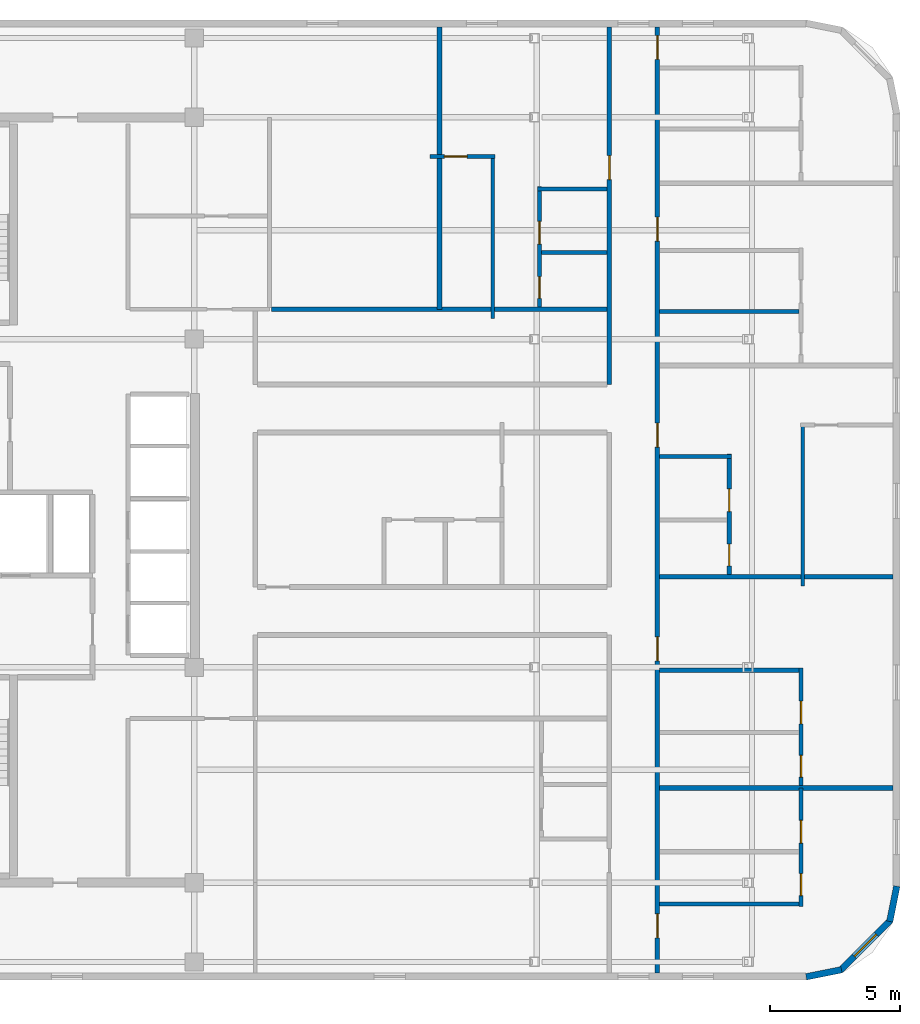
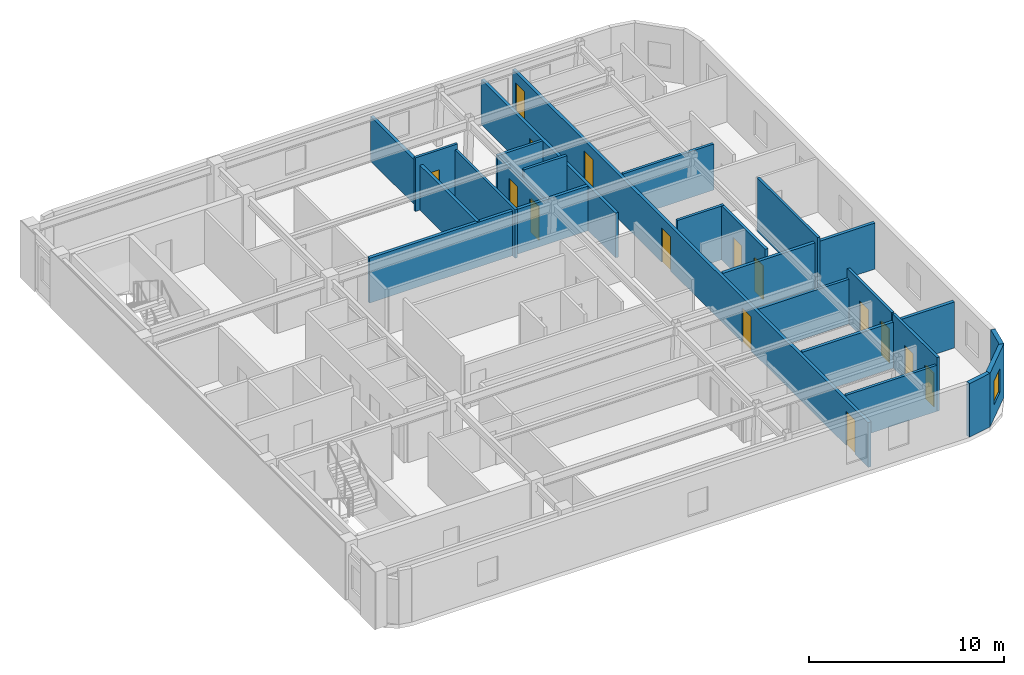
# One storey, part 4 of 7: 22 walls, 15 doors, 1 window, 16 openings.
"""IFC4 building model written with IfcOpenShell, lengths in metres."""

from ifc_helpers import new_model, si_unit, direction, frame, frame_2d, origin, place, context, subcontext, project, spatial, rectangle, extrude, material, layer, layer_set, type_object, element, fill, save


model = new_model("IFC4")

# Units and contexts
model_context = context("Model", 3, precision=1e-05, world=origin(), true_north=direction((0.0, 1.0)))
body_context = subcontext(model_context, "Body", "Model", "MODEL_VIEW")
ifc_project = project(units=[si_unit("LENGTHUNIT", "METRE"), si_unit("AREAUNIT", "SQUARE_METRE"), si_unit("VOLUMEUNIT", "CUBIC_METRE"), si_unit("PLANEANGLEUNIT", "RADIAN"), si_unit("MASSUNIT", "GRAM", prefix="KILO")], contexts=[model_context])

# Site, building, storey
site_placement = place(None, origin())
site = spatial("IfcSite", under=ifc_project, at=site_placement, CompositionType="ELEMENT")
building_placement = place(site_placement, origin())
building = spatial("IfcBuilding", under=site, at=building_placement, Name="Ochreholt Gables", CompositionType="ELEMENT")
storey_placement = place(building_placement, frame((0.0, 0.0, 238.800048828125)))
storey = spatial("IfcBuildingStorey", under=building, at=storey_placement, Name="L62", CompositionType="ELEMENT", Elevation=238.800048828125)

# Wall
ifc_material_1 = material(Name="Precast concrete 40 MPa", Category="concrete")
ifc_layer_1 = layer(ifc_material_1, 0.25, Name="Precast concrete 40 MPa")
ifc_layer_set_1 = layer_set([ifc_layer_1], Name="Precast concrete 40 MPa")
wall_type_1 = type_object("IfcWallType", Name="WALL-EXT-CNR", PredefinedType="SOLIDWALL", material=ifc_layer_set_1)
wall_1_placement = place(storey_placement, frame((58.783447265625, 5.624267578125, 0.0), z_axis=(0.0, 0.0, 1.0), x_axis=(0.980809899341, 0.19496651342, 0.0)))
element("IfcWall", 1, at=wall_1_placement, inside=storey, type_object=wall_type_1, Name="L62 Rounded Corner Wall SE-1", PredefinedType="SOLIDWALL", context=body_context, shape_type="SweptSolid", body=[
    extrude(rectangle(XDim=1.388671875, YDim=0.25, at=frame_2d((0.6943359375, 0.0))), origin(), (0.0, 0.0, 1.0), 3.35986328125),
])

# Wall, opening, window
wall_2_placement = place(storey_placement, frame((60.094970703125, 5.867919921875, 0.0), z_axis=(0.0, 0.0, 1.0), x_axis=(0.707106781187, 0.707106781187, 0.0)))
wall_2 = element("IfcWall", 2, at=wall_2_placement, inside=storey, type_object=wall_type_1, Name="L62 Rounded Corner Wall SE-2", PredefinedType="SOLIDWALL", context=body_context, shape_type="SweptSolid", body=[
    extrude(rectangle(XDim=2.7392578125, YDim=0.25, at=frame_2d((1.36962890625, 0.0))), origin(), (0.0, 0.0, 1.0), 3.35986328125),
])
opening_1_placement = place(wall_2_placement, frame((0.769775390625, 0.0, 0.85009765625)))
opening_1 = element("IfcOpeningElement", 3, at=opening_1_placement, cuts=wall_2, Name="Opening WN-3", PredefinedType="OPENING", context=body_context, shape_type="SweptSolid", body=[
    extrude(rectangle(XDim=1.199951171875, YDim=1.5, at=frame_2d((0.60009765625, 0.75))), frame((0.0, 0.135009765625, 0.0), z_axis=(0.0, -1.0, 0.0), x_axis=(1.0, 0.0, 0.0)), (0.0, 0.0, 1.0), 0.27001953125),
])
ifc_material_2 = material(Name="Triple-Glazed Thermally Broken Aluminium Window", Category="aluminium")
window_type = type_object("IfcWindowType", Name="WIN-RES-1200", PartitioningType="SINGLE_PANEL", PredefinedType="WINDOW", material=ifc_material_2)
window_placement = place(opening_1_placement, origin())
window = element("IfcWindow", 4, at=window_placement, inside=storey, type_object=window_type, Name="L62 Corner Bedroom Window SE", OverallHeight=1.5, OverallWidth=1.199951171875, PartitioningType="SINGLE_PANEL", PredefinedType="WINDOW", context=body_context, shape_type="SweptSolid", body=[
    extrude(rectangle(XDim=1.199951171875, YDim=1.5, at=frame_2d((0.60009765625, 0.75))), frame((0.0, 0.030029296875, 0.0), z_axis=(0.0, -1.0, 0.0), x_axis=(1.0, 0.0, 0.0)), (0.0, 0.0, 1.0), 0.06005859375),
])
fill(opening_1, window)

# Wall
wall_3_placement = place(storey_placement, frame((62.0048828125, 7.75439453125, 0.0), z_axis=(0.0, 0.0, 1.0), x_axis=(0.195135625965, 0.9807762678, 0.0)))
element("IfcWall", 5, at=wall_3_placement, inside=storey, type_object=wall_type_1, Name="L62 Rounded Corner Wall SE-3", PredefinedType="SOLIDWALL", context=body_context, shape_type="SweptSolid", body=[
    extrude(rectangle(XDim=1.388671875, YDim=0.25, at=frame_2d((0.6943359375, 0.0))), origin(), (0.0, 0.0, 1.0), 3.35986328125),
])

# Wall, opening, door
ifc_material_3 = material(Name="Fire-Rated Gypsum Acoustic Partition", Category="gypsum")
ifc_layer_2 = layer(ifc_material_3, 0.179931640625, Name="Fire-Rated Gypsum Acoustic Partition")
ifc_layer_set_2 = layer_set([ifc_layer_2], Name="Fire-Rated Gypsum Acoustic Partition")
wall_type_2 = type_object("IfcWallType", Name="WALL-INT-CR180", PredefinedType="STANDARD", material=ifc_layer_set_2)
wall_4_placement = place(storey_placement, frame((51.199951171875, 28.449951171875, 0.0), z_axis=(0.0, 0.0, 1.0), x_axis=(0.0, 1.0, 0.0)))
wall_4 = element("IfcWall", 6, at=wall_4_placement, inside=storey, type_object=wall_type_2, Name="L62 Interior Wall WI-C3GW4-L62", PredefinedType="STANDARD", context=body_context, shape_type="SweptSolid", body=[
    extrude(rectangle(XDim=13.780029296875, YDim=0.179931640625, at=frame_2d((6.89013671875, 0.0))), origin(), (0.0, 0.0, 1.0), 2.802978515625),
])
opening_2_placement = place(wall_4_placement, frame((7.89990234375, 0.0, 0.0)))
opening_2 = element("IfcOpeningElement", 7, at=opening_2_placement, cuts=wall_4, Name="Opening D-UN1", PredefinedType="OPENING", context=body_context, shape_type="SweptSolid", body=[
    extrude(rectangle(XDim=0.919921875, YDim=2.14990234375, at=frame_2d((0.4599609375, 1.074951171875))), frame((0.0, 0.099853515625, 0.0), z_axis=(0.0, -1.0, 0.0), x_axis=(1.0, 0.0, 0.0)), (0.0, 0.0, 1.0), 0.199951171875),
])
ifc_material_4 = material(Name="Engineered Oak Timber", Category="wood")
door_type_1 = type_object("IfcDoorType", Name="DR-INT-UNT920", OperationType="NOTDEFINED", PredefinedType="DOOR", material=ifc_material_4)
door_1_placement = place(opening_2_placement, origin())
door_1 = element("IfcDoor", 8, at=door_1_placement, inside=storey, type_object=door_type_1, Name="L62 Door D-U-L62NM2-ENT", OperationType="SINGLE_SWING_RIGHT", OverallHeight=2.14990234375, OverallWidth=0.919921875, PredefinedType="DOOR", context=body_context, shape_type="SweptSolid", body=[
    extrude(rectangle(XDim=0.919921875, YDim=2.14990234375, at=frame_2d((0.4599609375, 1.074951171875))), frame((0.0, 0.02490234375, 0.0), z_axis=(0.0, -1.0, 0.0), x_axis=(1.0, 0.0, 0.0)), (0.0, 0.0, 1.0), 0.050048828125),
])
fill(opening_2, door_1)

# Wall, openings, doors
wall_5_placement = place(storey_placement, frame((53.050048828125, 5.77001953125, 0.0), z_axis=(0.0, 0.0, 1.0), x_axis=(0.0, 1.0, 0.0)))
wall_5 = element("IfcWall", 9, at=wall_5_placement, inside=storey, type_object=wall_type_2, Name="L62 Interior Wall WI-C3GE-L62", PredefinedType="STANDARD", context=body_context, shape_type="SweptSolid", body=[
    extrude(rectangle(XDim=36.4599609375, YDim=0.179931640625, at=frame_2d((18.22998046875, 0.0))), origin(), (0.0, 0.0, 1.0), 2.802978515625),
])
opening_3_placement = place(wall_5_placement, frame((1.356689453125, 0.0, 0.0)))
opening_3 = element("IfcOpeningElement", 10, at=opening_3_placement, cuts=wall_5, Name="Opening D-UN1", PredefinedType="OPENING", context=body_context, shape_type="SweptSolid", body=[
    extrude(rectangle(XDim=0.919921875, YDim=2.14990234375, at=frame_2d((0.4599609375, 1.074951171875))), frame((0.0, 0.099853515625, 0.0), z_axis=(0.0, -1.0, 0.0), x_axis=(1.0, 0.0, 0.0)), (0.0, 0.0, 1.0), 0.199951171875),
])
opening_4_placement = place(wall_5_placement, frame((12.030029296875, 0.0, 0.0)))
opening_4 = element("IfcOpeningElement", 11, at=opening_4_placement, cuts=wall_5, Name="Opening D-UN1", PredefinedType="OPENING", context=body_context, shape_type="SweptSolid", body=[
    extrude(rectangle(XDim=0.919921875, YDim=2.14990234375, at=frame_2d((0.4599609375, 1.074951171875))), frame((0.0, 0.099853515625, 0.0), z_axis=(0.0, -1.0, 0.0), x_axis=(1.0, 0.0, 0.0)), (0.0, 0.0, 1.0), 0.199951171875),
])
opening_5_placement = place(wall_5_placement, frame((20.27001953125, 0.0, 0.0)))
opening_5 = element("IfcOpeningElement", 12, at=opening_5_placement, cuts=wall_5, Name="Opening D-UN1", PredefinedType="OPENING", context=body_context, shape_type="SweptSolid", body=[
    extrude(rectangle(XDim=0.919921875, YDim=2.14990234375, at=frame_2d((0.4599609375, 1.074951171875))), frame((0.0, 0.099853515625, 0.0), z_axis=(0.0, -1.0, 0.0), x_axis=(1.0, 0.0, 0.0)), (0.0, 0.0, 1.0), 0.199951171875),
])
opening_6_placement = place(wall_5_placement, frame((28.2099609375, 0.0, 0.0)))
opening_6 = element("IfcOpeningElement", 13, at=opening_6_placement, cuts=wall_5, Name="Opening D-UN1", PredefinedType="OPENING", context=body_context, shape_type="SweptSolid", body=[
    extrude(rectangle(XDim=0.919921875, YDim=2.14990234375, at=frame_2d((0.4599609375, 1.074951171875))), frame((0.0, 0.099853515625, 0.0), z_axis=(0.0, -1.0, 0.0), x_axis=(1.0, 0.0, 0.0)), (0.0, 0.0, 1.0), 0.199951171875),
])
opening_7_placement = place(wall_5_placement, frame((35.2099609375, 0.0, 0.0)))
opening_7 = element("IfcOpeningElement", 14, at=opening_7_placement, cuts=wall_5, Name="Opening D-UN1", PredefinedType="OPENING", context=body_context, shape_type="SweptSolid", body=[
    extrude(rectangle(XDim=0.919921875, YDim=2.14990234375, at=frame_2d((0.4599609375, 1.074951171875))), frame((0.0, 0.099853515625, 0.0), z_axis=(0.0, -1.0, 0.0), x_axis=(1.0, 0.0, 0.0)), (0.0, 0.0, 1.0), 0.199951171875),
])
door_2_placement = place(opening_3_placement, origin())
door_2 = element("IfcDoor", 15, at=door_2_placement, inside=storey, type_object=door_type_1, Name="L62 Door D-U-L62E1-ENT", OperationType="SINGLE_SWING_RIGHT", OverallHeight=2.14990234375, OverallWidth=0.919921875, PredefinedType="DOOR", context=body_context, shape_type="SweptSolid", body=[
    extrude(rectangle(XDim=0.919921875, YDim=2.14990234375, at=frame_2d((0.4599609375, 1.074951171875))), frame((0.0, 0.02490234375, 0.0), z_axis=(0.0, -1.0, 0.0), x_axis=(1.0, 0.0, 0.0)), (0.0, 0.0, 1.0), 0.050048828125),
])
fill(opening_3, door_2)
door_3_placement = place(opening_4_placement, origin())
door_3 = element("IfcDoor", 16, at=door_3_placement, inside=storey, type_object=door_type_1, Name="L62 Door D-U-L62E2-ENT", OperationType="SINGLE_SWING_LEFT", OverallHeight=2.14990234375, OverallWidth=0.919921875, PredefinedType="DOOR", context=body_context, shape_type="SweptSolid", body=[
    extrude(rectangle(XDim=0.919921875, YDim=2.14990234375, at=frame_2d((0.4599609375, 1.074951171875))), frame((0.0, 0.02490234375, 0.0), z_axis=(0.0, -1.0, 0.0), x_axis=(1.0, 0.0, 0.0)), (0.0, 0.0, 1.0), 0.050048828125),
])
fill(opening_4, door_3)
door_4_placement = place(opening_5_placement, origin())
door_4 = element("IfcDoor", 17, at=door_4_placement, inside=storey, type_object=door_type_1, Name="L62 Door D-U-L62E3-ENT", OperationType="SINGLE_SWING_RIGHT", OverallHeight=2.14990234375, OverallWidth=0.919921875, PredefinedType="DOOR", context=body_context, shape_type="SweptSolid", body=[
    extrude(rectangle(XDim=0.919921875, YDim=2.14990234375, at=frame_2d((0.4599609375, 1.074951171875))), frame((0.0, 0.02490234375, 0.0), z_axis=(0.0, -1.0, 0.0), x_axis=(1.0, 0.0, 0.0)), (0.0, 0.0, 1.0), 0.050048828125),
])
fill(opening_5, door_4)
door_5_placement = place(opening_6_placement, origin())
door_5 = element("IfcDoor", 18, at=door_5_placement, inside=storey, type_object=door_type_1, Name="L62 Door D-U-L62E4-ENT", OperationType="SINGLE_SWING_LEFT", OverallHeight=2.14990234375, OverallWidth=0.919921875, PredefinedType="DOOR", context=body_context, shape_type="SweptSolid", body=[
    extrude(rectangle(XDim=0.919921875, YDim=2.14990234375, at=frame_2d((0.4599609375, 1.074951171875))), frame((0.0, 0.02490234375, 0.0), z_axis=(0.0, -1.0, 0.0), x_axis=(1.0, 0.0, 0.0)), (0.0, 0.0, 1.0), 0.050048828125),
])
fill(opening_6, door_5)
door_6_placement = place(opening_7_placement, origin())
door_6 = element("IfcDoor", 19, at=door_6_placement, inside=storey, type_object=door_type_1, Name="L62 Door D-U-L62E5-ENT", OperationType="SINGLE_SWING_RIGHT", OverallHeight=2.14990234375, OverallWidth=0.919921875, PredefinedType="DOOR", context=body_context, shape_type="SweptSolid", body=[
    extrude(rectangle(XDim=0.919921875, YDim=2.14990234375, at=frame_2d((0.4599609375, 1.074951171875))), frame((0.0, 0.02490234375, 0.0), z_axis=(0.0, -1.0, 0.0), x_axis=(1.0, 0.0, 0.0)), (0.0, 0.0, 1.0), 0.050048828125),
])
fill(opening_7, door_6)

# Walls
ifc_material_5 = material(Name="Double-Stud Acoustic Demising Wall", Category="gypsum")
ifc_layer_3 = layer(ifc_material_5, 0.18505859375, Name="Double-Stud Acoustic Demising Wall")
ifc_layer_set_3 = layer_set([ifc_layer_3], Name="Double-Stud Acoustic Demising Wall")
wall_type_3 = type_object("IfcWallType", Name="WALL-INT-DM185", PredefinedType="PARTITIONING", material=ifc_layer_set_3)
for number, where, z_axis, x_axis, name in (
    (20, (53.139892578125, 12.89990234375, 0.0), (0.0, 0.0, 1.0), (1.0, 0.0, 0.0), "L62 Interior Wall WI-C3UDE2-L62"),
    (21, (53.139892578125, 21.0400390625, 0.0), (0.0, 0.0, 1.0), (1.0, 0.0, 0.0), "L62 Interior Wall WI-C3UDE3-L62"),
):
    element("IfcWall", number, at=place(storey_placement, frame(where, z_axis=z_axis, x_axis=x_axis)), inside=storey, type_object=wall_type_3, Name=name, PredefinedType="PARTITIONING", context=body_context, shape_type="SweptSolid", body=[
        extrude(rectangle(XDim=8.989990234375, YDim=0.18505859375, at=frame_2d((4.4951171875, 0.0))), origin(), (0.0, 0.0, 1.0), 2.87890625),
    ])
wall_6_placement = place(storey_placement, frame((44.64990234375, 31.35009765625, 0.0), z_axis=(0.0, 0.0, 1.0), x_axis=(0.0, 1.0, 0.0)))
element("IfcWall", 22, at=wall_6_placement, inside=storey, type_object=wall_type_3, Name="L62 Interior Wall WI-C3NMX-L62", PredefinedType="PARTITIONING", context=body_context, shape_type="SweptSolid", body=[
    extrude(rectangle(XDim=10.8798828125, YDim=0.18505859375, at=frame_2d((5.43994140625, 0.0))), origin(), (0.0, 0.0, 1.0), 2.802978515625),
])
wall_7_placement = place(storey_placement, frame((38.172607421875, 31.35009765625, 0.0), z_axis=(0.0, 0.0, 1.0), x_axis=(1.0, 0.0, 0.0)))
element("IfcWall", 23, at=wall_7_placement, inside=storey, type_object=wall_type_3, Name="L62 Interior Wall WI-C3NMY-L62", PredefinedType="PARTITIONING", context=body_context, shape_type="SweptSolid", body=[
    extrude(rectangle(XDim=12.9375, YDim=0.18505859375, at=frame_2d((6.46875, 0.0))), origin(), (0.0, 0.0, 1.0), 2.802978515625),
])
ifc_material_6 = material(Name="Moisture-Resistant Plumbing Chase Wall", Category="gypsum")
ifc_layer_4 = layer(ifc_material_6, 0.159912109375, Name="Moisture-Resistant Plumbing Chase Wall")
ifc_layer_set_4 = layer_set([ifc_layer_4], Name="Moisture-Resistant Plumbing Chase Wall")
wall_type_4 = type_object("IfcWallType", Name="WALL-INT-PL160", PredefinedType="PLUMBINGWALL", material=ifc_layer_set_4)
wall_8_placement = place(storey_placement, frame((53.139892578125, 8.426513671875, 0.0), z_axis=(0.0, 0.0, 1.0), x_axis=(1.0, 0.0, 0.0)))
element("IfcWall", 24, at=wall_8_placement, inside=storey, type_object=wall_type_4, Name="L62 Interior Wall WU-L62E1-WYS", PredefinedType="PLUMBINGWALL", context=body_context, shape_type="SweptSolid", body=[
    extrude(rectangle(XDim=5.530029296875, YDim=0.159912109375, at=frame_2d((2.76513671875, 0.0))), origin(), (0.0, 0.0, 1.0), 2.87890625),
])

# Wall, openings, doors
wall_9_placement = place(storey_placement, frame((58.590087890625, 8.336669921875, 0.0), z_axis=(0.0, 0.0, 1.0), x_axis=(0.0, 1.0, 0.0)))
wall_9 = element("IfcWall", 25, at=wall_9_placement, inside=storey, type_object=wall_type_4, Name="L62 Interior Wall WU-L62E1-WX", PredefinedType="PLUMBINGWALL", context=body_context, shape_type="SweptSolid", body=[
    extrude(rectangle(XDim=4.563232421875, YDim=0.159912109375, at=frame_2d((2.28173828125, 0.0))), origin(), (0.0, 0.0, 1.0), 3.35986328125),
])
opening_8_placement = place(wall_9_placement, frame((0.419921875, 0.0, 0.0)))
opening_8 = element("IfcOpeningElement", 26, at=opening_8_placement, cuts=wall_9, Name="Opening D-BT2", PredefinedType="OPENING", context=body_context, shape_type="SweptSolid", body=[
    extrude(rectangle(XDim=0.840087890625, YDim=2.1201171875, at=frame_2d((0.419921875, 1.06005859375))), frame((0.0, 0.08984375, 0.0), z_axis=(0.0, -1.0, 0.0), x_axis=(1.0, 0.0, 0.0)), (0.0, 0.0, 1.0), 0.179931640625),
])
opening_9_placement = place(wall_9_placement, frame((2.436279296875, 0.0, 0.0)))
opening_9 = element("IfcOpeningElement", 27, at=opening_9_placement, cuts=wall_9, Name="Opening D-GN2", PredefinedType="OPENING", context=body_context, shape_type="SweptSolid", body=[
    extrude(rectangle(XDim=0.8798828125, YDim=2.1201171875, at=frame_2d((0.43994140625, 1.06005859375))), frame((0.0, 0.08984375, 0.0), z_axis=(0.0, -1.0, 0.0), x_axis=(1.0, 0.0, 0.0)), (0.0, 0.0, 1.0), 0.179931640625),
])
door_type_2 = type_object("IfcDoorType", Name="DR-INT-BTH840", OperationType="NOTDEFINED", PredefinedType="DOOR", material=ifc_material_4)
door_7_placement = place(opening_8_placement, origin())
door_7 = element("IfcDoor", 28, at=door_7_placement, inside=storey, type_object=door_type_2, Name="L62 Door D-U-L62E1-BTH", OperationType="SINGLE_SWING_LEFT", OverallHeight=2.1201171875, OverallWidth=0.840087890625, PredefinedType="DOOR", context=body_context, shape_type="SweptSolid", body=[
    extrude(rectangle(XDim=0.840087890625, YDim=2.1201171875, at=frame_2d((0.419921875, 1.06005859375))), frame((0.0, 0.02490234375, 0.0), z_axis=(0.0, -1.0, 0.0), x_axis=(1.0, 0.0, 0.0)), (0.0, 0.0, 1.0), 0.050048828125),
])
fill(opening_8, door_7)
door_type_3 = type_object("IfcDoorType", Name="DR-INT-GEN880", OperationType="NOTDEFINED", PredefinedType="DOOR", material=ifc_material_4)
door_8_placement = place(opening_9_placement, origin())
door_8 = element("IfcDoor", 29, at=door_8_placement, inside=storey, type_object=door_type_3, Name="L62 Door D-U-L62E1-KIT", OperationType="SINGLE_SWING_RIGHT", OverallHeight=2.1201171875, OverallWidth=0.8798828125, PredefinedType="DOOR", context=body_context, shape_type="SweptSolid", body=[
    extrude(rectangle(XDim=0.8798828125, YDim=2.1201171875, at=frame_2d((0.43994140625, 1.06005859375))), frame((0.0, 0.02490234375, 0.0), z_axis=(0.0, -1.0, 0.0), x_axis=(1.0, 0.0, 0.0)), (0.0, 0.0, 1.0), 0.050048828125),
])
fill(opening_9, door_8)

# Wall
wall_10_placement = place(storey_placement, frame((53.139892578125, 17.43994140625, 0.0), z_axis=(0.0, 0.0, 1.0), x_axis=(1.0, 0.0, 0.0)))
element("IfcWall", 30, at=wall_10_placement, inside=storey, type_object=wall_type_4, Name="L62 Interior Wall WU-L62E2-WYN", PredefinedType="PLUMBINGWALL", context=body_context, shape_type="SweptSolid", body=[
    extrude(rectangle(XDim=5.530029296875, YDim=0.159912109375, at=frame_2d((2.76513671875, 0.0))), origin(), (0.0, 0.0, 1.0), 2.802978515625),
])

# Wall, openings, doors
wall_11_placement = place(storey_placement, frame((58.590087890625, 12.992431640625, 0.0), z_axis=(0.0, 0.0, 1.0), x_axis=(0.0, 1.0, 0.0)))
wall_11 = element("IfcWall", 31, at=wall_11_placement, inside=storey, type_object=wall_type_4, Name="L62 Interior Wall WU-L62E2-WX", PredefinedType="PLUMBINGWALL", context=body_context, shape_type="SweptSolid", body=[
    extrude(rectangle(XDim=4.53759765625, YDim=0.159912109375, at=frame_2d((2.268798828125, 0.0))), origin(), (0.0, 0.0, 1.0), 3.35986328125),
])
opening_10_placement = place(wall_11_placement, frame((0.327392578125, 0.0, 0.0)))
opening_10 = element("IfcOpeningElement", 32, at=opening_10_placement, cuts=wall_11, Name="Opening D-BT2", PredefinedType="OPENING", context=body_context, shape_type="SweptSolid", body=[
    extrude(rectangle(XDim=0.840087890625, YDim=2.1201171875, at=frame_2d((0.419921875, 1.06005859375))), frame((0.0, 0.08984375, 0.0), z_axis=(0.0, -1.0, 0.0), x_axis=(1.0, 0.0, 0.0)), (0.0, 0.0, 1.0), 0.179931640625),
])
opening_11_placement = place(wall_11_placement, frame((2.37451171875, 0.0, 0.0)))
opening_11 = element("IfcOpeningElement", 33, at=opening_11_placement, cuts=wall_11, Name="Opening D-GN2", PredefinedType="OPENING", context=body_context, shape_type="SweptSolid", body=[
    extrude(rectangle(XDim=0.8798828125, YDim=2.1201171875, at=frame_2d((0.43994140625, 1.06005859375))), frame((0.0, 0.08984375, 0.0), z_axis=(0.0, -1.0, 0.0), x_axis=(1.0, 0.0, 0.0)), (0.0, 0.0, 1.0), 0.179931640625),
])
door_9_placement = place(opening_10_placement, origin())
door_9 = element("IfcDoor", 34, at=door_9_placement, inside=storey, type_object=door_type_2, Name="L62 Door D-U-L62E2-BTH", OperationType="SINGLE_SWING_RIGHT", OverallHeight=2.1201171875, OverallWidth=0.840087890625, PredefinedType="DOOR", context=body_context, shape_type="SweptSolid", body=[
    extrude(rectangle(XDim=0.840087890625, YDim=2.1201171875, at=frame_2d((0.419921875, 1.06005859375))), frame((0.0, 0.02490234375, 0.0), z_axis=(0.0, -1.0, 0.0), x_axis=(1.0, 0.0, 0.0)), (0.0, 0.0, 1.0), 0.050048828125),
])
fill(opening_10, door_9)
door_10_placement = place(opening_11_placement, origin())
door_10 = element("IfcDoor", 35, at=door_10_placement, inside=storey, type_object=door_type_3, Name="L62 Door D-U-L62E2-KIT", OperationType="SINGLE_SWING_LEFT", OverallHeight=2.1201171875, OverallWidth=0.8798828125, PredefinedType="DOOR", context=body_context, shape_type="SweptSolid", body=[
    extrude(rectangle(XDim=0.8798828125, YDim=2.1201171875, at=frame_2d((0.43994140625, 1.06005859375))), frame((0.0, 0.02490234375, 0.0), z_axis=(0.0, -1.0, 0.0), x_axis=(1.0, 0.0, 0.0)), (0.0, 0.0, 1.0), 0.050048828125),
])
fill(opening_11, door_10)

# Wall
wall_12_placement = place(storey_placement, frame((53.139892578125, 25.679931640625, 0.0), z_axis=(0.0, 0.0, 1.0), x_axis=(1.0, 0.0, 0.0)))
element("IfcWall", 36, at=wall_12_placement, inside=storey, type_object=wall_type_4, Name="L62 Interior Wall WU-L62E3-WYN", PredefinedType="PLUMBINGWALL", context=body_context, shape_type="SweptSolid", body=[
    extrude(rectangle(XDim=2.758056640625, YDim=0.159912109375, at=frame_2d((1.37890625, 0.0))), origin(), (0.0, 0.0, 1.0), 3.35986328125),
])

# Wall, openings, doors
wall_13_placement = place(storey_placement, frame((55.818115234375, 21.132568359375, 0.0), z_axis=(0.0, 0.0, 1.0), x_axis=(0.0, 1.0, 0.0)))
wall_13 = element("IfcWall", 37, at=wall_13_placement, inside=storey, type_object=wall_type_4, Name="L62 Interior Wall WU-L62E3-WX", PredefinedType="PLUMBINGWALL", context=body_context, shape_type="SweptSolid", body=[
    extrude(rectangle(XDim=4.637451171875, YDim=0.159912109375, at=frame_2d((2.31884765625, 0.0))), origin(), (0.0, 0.0, 1.0), 3.35986328125),
])
opening_12_placement = place(wall_13_placement, frame((0.327392578125, 0.0, 0.0)))
opening_12 = element("IfcOpeningElement", 38, at=opening_12_placement, cuts=wall_13, Name="Opening D-BT2", PredefinedType="OPENING", context=body_context, shape_type="SweptSolid", body=[
    extrude(rectangle(XDim=0.840087890625, YDim=2.1201171875, at=frame_2d((0.419921875, 1.06005859375))), frame((0.0, 0.08984375, 0.0), z_axis=(0.0, -1.0, 0.0), x_axis=(1.0, 0.0, 0.0)), (0.0, 0.0, 1.0), 0.179931640625),
])
opening_13_placement = place(wall_13_placement, frame((2.42041015625, 0.0, 0.0)))
opening_13 = element("IfcOpeningElement", 39, at=opening_13_placement, cuts=wall_13, Name="Opening D-GN2", PredefinedType="OPENING", context=body_context, shape_type="SweptSolid", body=[
    extrude(rectangle(XDim=0.8798828125, YDim=2.1201171875, at=frame_2d((0.43994140625, 1.06005859375))), frame((0.0, 0.08984375, 0.0), z_axis=(0.0, -1.0, 0.0), x_axis=(1.0, 0.0, 0.0)), (0.0, 0.0, 1.0), 0.179931640625),
])
door_11_placement = place(opening_12_placement, origin())
door_11 = element("IfcDoor", 40, at=door_11_placement, inside=storey, type_object=door_type_2, Name="L62 Door D-U-L62E3-BTH", OperationType="SINGLE_SWING_LEFT", OverallHeight=2.1201171875, OverallWidth=0.840087890625, PredefinedType="DOOR", context=body_context, shape_type="SweptSolid", body=[
    extrude(rectangle(XDim=0.840087890625, YDim=2.1201171875, at=frame_2d((0.419921875, 1.06005859375))), frame((0.0, 0.02490234375, 0.0), z_axis=(0.0, -1.0, 0.0), x_axis=(1.0, 0.0, 0.0)), (0.0, 0.0, 1.0), 0.050048828125),
])
fill(opening_12, door_11)
door_12_placement = place(opening_13_placement, origin())
door_12 = element("IfcDoor", 41, at=door_12_placement, inside=storey, type_object=door_type_3, Name="L62 Door D-U-L62E3-KIT", OperationType="SINGLE_SWING_RIGHT", OverallHeight=2.1201171875, OverallWidth=0.8798828125, PredefinedType="DOOR", context=body_context, shape_type="SweptSolid", body=[
    extrude(rectangle(XDim=0.8798828125, YDim=2.1201171875, at=frame_2d((0.43994140625, 1.06005859375))), frame((0.0, 0.02490234375, 0.0), z_axis=(0.0, -1.0, 0.0), x_axis=(1.0, 0.0, 0.0)), (0.0, 0.0, 1.0), 0.050048828125),
])
fill(opening_13, door_12)

# Walls
wall_14_placement = place(storey_placement, frame((53.139892578125, 31.27099609375, 0.0), z_axis=(0.0, 0.0, 1.0), x_axis=(1.0, 0.0, 0.0)))
element("IfcWall", 42, at=wall_14_placement, inside=storey, type_object=wall_type_4, Name="L62 Interior Wall WU-L62E4-WM", PredefinedType="PLUMBINGWALL", context=body_context, shape_type="SweptSolid", body=[
    extrude(rectangle(XDim=5.3701171875, YDim=0.159912109375, at=frame_2d((2.68505859375, 0.0))), origin(), (0.0, 0.0, 1.0), 2.87890625),
])
wall_15_placement = place(storey_placement, frame((48.427978515625, 35.989990234375, 0.0), z_axis=(0.0, 0.0, 1.0), x_axis=(1.0, 0.0, 0.0)))
element("IfcWall", 43, at=wall_15_placement, inside=storey, type_object=wall_type_4, Name="L62 Interior Wall WU-L62NM2-WYN", PredefinedType="PLUMBINGWALL", context=body_context, shape_type="SweptSolid", body=[
    extrude(rectangle(XDim=2.68212890625, YDim=0.159912109375, at=frame_2d((1.341064453125, 0.0))), origin(), (0.0, 0.0, 1.0), 2.802978515625),
])

# Wall, openings, doors
wall_16_placement = place(storey_placement, frame((48.508056640625, 31.4423828125, 0.0), z_axis=(0.0, 0.0, 1.0), x_axis=(0.0, 1.0, 0.0)))
wall_16 = element("IfcWall", 44, at=wall_16_placement, inside=storey, type_object=wall_type_4, Name="L62 Interior Wall WU-L62NM2-WX", PredefinedType="PLUMBINGWALL", context=body_context, shape_type="SweptSolid", body=[
    extrude(rectangle(XDim=4.6376953125, YDim=0.159912109375, at=frame_2d((2.31884765625, 0.0))), origin(), (0.0, 0.0, 1.0), 2.802978515625),
])
opening_14_placement = place(wall_16_placement, frame((0.327392578125, 0.0, 0.0)))
opening_14 = element("IfcOpeningElement", 45, at=opening_14_placement, cuts=wall_16, Name="Opening D-BT2", PredefinedType="OPENING", context=body_context, shape_type="SweptSolid", body=[
    extrude(rectangle(XDim=0.840087890625, YDim=2.1201171875, at=frame_2d((0.419921875, 1.06005859375))), frame((0.0, 0.08984375, 0.0), z_axis=(0.0, -1.0, 0.0), x_axis=(1.0, 0.0, 0.0)), (0.0, 0.0, 1.0), 0.179931640625),
])
opening_15_placement = place(wall_16_placement, frame((2.42041015625, 0.0, 0.0)))
opening_15 = element("IfcOpeningElement", 46, at=opening_15_placement, cuts=wall_16, Name="Opening D-GN2", PredefinedType="OPENING", context=body_context, shape_type="SweptSolid", body=[
    extrude(rectangle(XDim=0.8798828125, YDim=2.1201171875, at=frame_2d((0.43994140625, 1.06005859375))), frame((0.0, 0.08984375, 0.0), z_axis=(0.0, -1.0, 0.0), x_axis=(1.0, 0.0, 0.0)), (0.0, 0.0, 1.0), 0.179931640625),
])
door_13_placement = place(opening_14_placement, origin())
door_13 = element("IfcDoor", 47, at=door_13_placement, inside=storey, type_object=door_type_2, Name="L62 Door D-U-L62NM2-BTH", OperationType="SINGLE_SWING_LEFT", OverallHeight=2.1201171875, OverallWidth=0.840087890625, PredefinedType="DOOR", context=body_context, shape_type="SweptSolid", body=[
    extrude(rectangle(XDim=0.840087890625, YDim=2.1201171875, at=frame_2d((0.419921875, 1.06005859375))), frame((0.0, 0.02490234375, 0.0), z_axis=(0.0, -1.0, 0.0), x_axis=(1.0, 0.0, 0.0)), (0.0, 0.0, 1.0), 0.050048828125),
])
fill(opening_14, door_13)
door_14_placement = place(opening_15_placement, origin())
door_14 = element("IfcDoor", 48, at=door_14_placement, inside=storey, type_object=door_type_3, Name="L62 Door D-U-L62NM2-KIT", OperationType="SINGLE_SWING_RIGHT", OverallHeight=2.1201171875, OverallWidth=0.8798828125, PredefinedType="DOOR", context=body_context, shape_type="SweptSolid", body=[
    extrude(rectangle(XDim=0.8798828125, YDim=2.1201171875, at=frame_2d((0.43994140625, 1.06005859375))), frame((0.0, 0.02490234375, 0.0), z_axis=(0.0, -1.0, 0.0), x_axis=(1.0, 0.0, 0.0)), (0.0, 0.0, 1.0), 0.050048828125),
])
fill(opening_15, door_14)

# Walls
wall_17_placement = place(storey_placement, frame((48.587890625, 33.532958984375, 0.0), z_axis=(0.0, 0.0, 1.0), x_axis=(1.0, 0.0, 0.0)))
element("IfcWall", 49, at=wall_17_placement, inside=storey, type_object=wall_type_4, Name="L62 Interior Wall WU-L62NM2-WM", PredefinedType="PLUMBINGWALL", context=body_context, shape_type="SweptSolid", body=[
    extrude(rectangle(XDim=2.522216796875, YDim=0.159912109375, at=frame_2d((1.26123046875, 0.0))), origin(), (0.0, 0.0, 1.0), 3.35986328125),
])
ifc_material_7 = material(Name="Lightweight Stud Partition", Category="gypsum")
ifc_layer_5 = layer(ifc_material_7, 0.14501953125, Name="Lightweight Stud Partition")
ifc_layer_set_5 = layer_set([ifc_layer_5], Name="Lightweight Stud Partition")
wall_type_5 = type_object("IfcWallType", Name="WALL-INT-PT145", PredefinedType="PARTITIONING", material=ifc_layer_set_5)
wall_18_placement = place(storey_placement, frame((58.64990234375, 20.679931640625, 0.0), z_axis=(0.0, 0.0, 1.0), x_axis=(0.0, 1.0, 0.0)))
element("IfcWall", 50, at=wall_18_placement, inside=storey, type_object=wall_type_5, Name="L62 Interior Wall WU-L62E3-STW", PredefinedType="PARTITIONING", context=body_context, shape_type="SweptSolid", body=[
    extrude(rectangle(XDim=6.2099609375, YDim=0.14501953125, at=frame_2d((3.10498046875, 0.0))), origin(), (0.0, 0.0, 1.0), 3.35986328125),
])
wall_19_placement = place(storey_placement, frame((46.7080078125, 30.989990234375, 0.0), z_axis=(0.0, 0.0, 1.0), x_axis=(0.0, 1.0, 0.0)))
element("IfcWall", 51, at=wall_19_placement, inside=storey, type_object=wall_type_5, Name="L62 Interior Wall WU-L62NM2-STW", PredefinedType="PARTITIONING", context=body_context, shape_type="SweptSolid", body=[
    extrude(rectangle(XDim=6.25, YDim=0.14501953125, at=frame_2d((3.125, 0.0))), origin(), (0.0, 0.0, 1.0), 3.0390625),
])

# Wall, opening, door
wall_20_placement = place(storey_placement, frame((44.2900390625, 37.239990234375, 0.0), z_axis=(0.0, 0.0, 1.0), x_axis=(1.0, 0.0, 0.0)))
wall_20 = element("IfcWall", 52, at=wall_20_placement, inside=storey, type_object=wall_type_5, Name="L62 Interior Wall WU-L62NM2-STN", PredefinedType="PARTITIONING", context=body_context, shape_type="SweptSolid", body=[
    extrude(rectangle(XDim=2.498046875, YDim=0.14501953125, at=frame_2d((1.2490234375, 0.0))), origin(), (0.0, 0.0, 1.0), 3.35986328125),
])
opening_16_placement = place(wall_20_placement, frame((0.550048828125, 0.0, 0.0)))
opening_16 = element("IfcOpeningElement", 53, at=opening_16_placement, cuts=wall_20, Name="Opening D-GN2", PredefinedType="OPENING", context=body_context, shape_type="SweptSolid", body=[
    extrude(rectangle(XDim=0.8798828125, YDim=2.1201171875, at=frame_2d((0.43994140625, 1.06005859375))), frame((0.0, 0.08251953125, 0.0), z_axis=(0.0, -1.0, 0.0), x_axis=(1.0, 0.0, 0.0)), (0.0, 0.0, 1.0), 0.1650390625),
])
door_15_placement = place(opening_16_placement, origin())
door_15 = element("IfcDoor", 54, at=door_15_placement, inside=storey, type_object=door_type_3, Name="L62 Door D-U-L62NM2-STD", OperationType="SINGLE_SWING_LEFT", OverallHeight=2.1201171875, OverallWidth=0.8798828125, PredefinedType="DOOR", context=body_context, shape_type="SweptSolid", body=[
    extrude(rectangle(XDim=0.8798828125, YDim=2.1201171875, at=frame_2d((0.43994140625, 1.06005859375))), frame((0.0, 0.02490234375, 0.0), z_axis=(0.0, -1.0, 0.0), x_axis=(1.0, 0.0, 0.0)), (0.0, 0.0, 1.0), 0.050048828125),
])
fill(opening_16, door_15)

save(model, "model.ifc")
